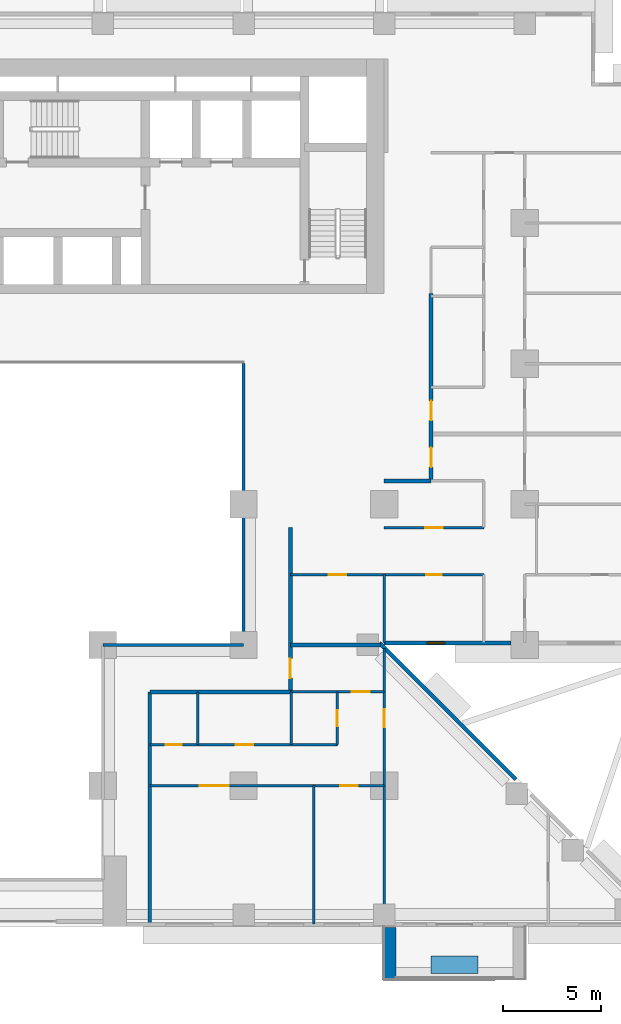
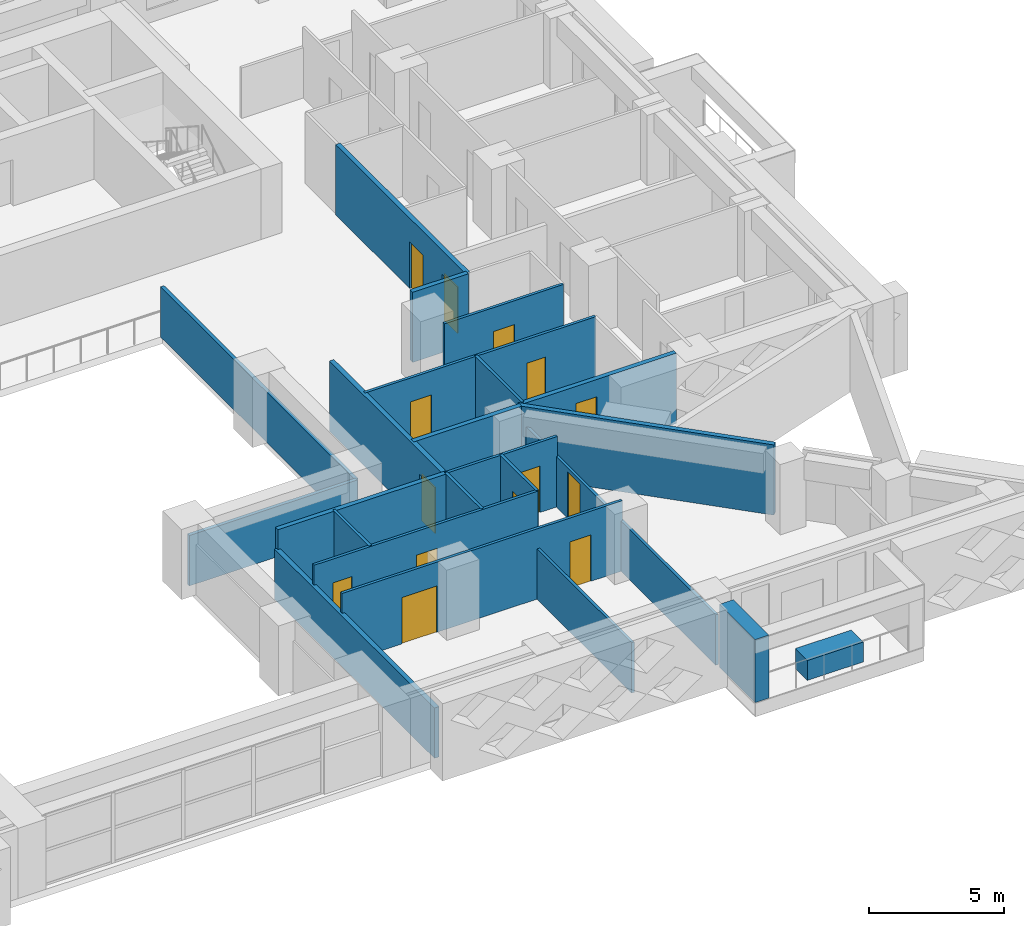
# One storey, part 8 of 17: 23 walls, 13 doors, 1 window, 14 openings.
"""IFC4 building model written with IfcOpenShell, lengths in metres."""

import ifcopenshell
import ifcopenshell.guid

model = None  # the IFC model being written
_history = None  # IfcOwnerHistory: only IFC2X3 demands one
_inside = {}  # id of a spatial element -> (the spatial element, [elements in it])
_under = {}  # id of a project, library or spatial element -> (it, [spatial elements below it])
_declared = {}  # id of a project -> (the project, [libraries it declares])
_typed = {}  # id of a type object -> (the type object, [elements of that type])
_made_of = {}  # id of a material, layer set ... -> (it, [elements and type objects made of it])


def new_model(schema):
    """Start an empty IFC model of exactly this schema.

    Asked for "IFC4X3", IfcOpenShell would pick the latest addendum, in which some entities
    have other attributes; the version numbers below select the first issue.
    IFC2X3 requires an IfcOwnerHistory on every rooted entity: one is made here for all.
    """
    global model, _history
    if schema == "IFC4X3":
        model = ifcopenshell.file(schema_version=(4, 3, 0, 0))
    else:
        model = ifcopenshell.file(schema=schema)
    _inside.clear()
    _under.clear()
    _declared.clear()
    _typed.clear()
    _made_of.clear()
    _history = None
    if model.schema == "IFC2X3":
        org = make("IfcOrganization", Name="unknown")
        user = make(
            "IfcPersonAndOrganization",
            ThePerson=make("IfcPerson", FamilyName="unknown"),
            TheOrganization=org,
        )
        app = make(
            "IfcApplication",
            ApplicationDeveloper=org,
            Version="unknown",
            ApplicationFullName="unknown",
            ApplicationIdentifier="unknown",
        )
        _history = make(
            "IfcOwnerHistory",
            OwningUser=user,
            OwningApplication=app,
            ChangeAction="ADDED",
            CreationDate=0,
        )
    return model


def make(cls, **values):
    """One entity of the class cls with the attributes given. An attribute that is None is left unset."""
    return model.create_entity(
        cls, **{name: value for name, value in values.items() if value is not None}
    )


def rooted(cls, **values):
    """An entity with a GlobalId (a new one), such as an element, a storey or a relation."""
    return make(cls, GlobalId=ifcopenshell.guid.new(), OwnerHistory=_history, **values)


def si_unit(unit_type, name, prefix=None):
    """IfcSIUnit, for example si_unit("LENGTHUNIT", "METRE", prefix="MILLI")."""
    return make("IfcSIUnit", UnitType=unit_type, Prefix=prefix, Name=name)


def assignment(units):
    """IfcUnitAssignment: the units of a project."""
    return None if units is None else make("IfcUnitAssignment", Units=units)


def point(xyz):
    """IfcCartesianPoint."""
    return None if xyz is None else make("IfcCartesianPoint", Coordinates=xyz)


def direction(xyz):
    """IfcDirection."""
    return None if xyz is None else make("IfcDirection", DirectionRatios=xyz)


def frame(location, z_axis=None, x_axis=None):
    """IfcAxis2Placement3D, a coordinate frame: its origin and axes. An axis left out is left unset."""
    return make(
        "IfcAxis2Placement3D",
        Location=point(location),
        Axis=direction(z_axis),
        RefDirection=direction(x_axis),
    )


def frame_2d(location, x_axis=None):
    """IfcAxis2Placement2D, a coordinate frame in the plane: its origin and x axis."""
    return make(
        "IfcAxis2Placement2D", Location=point(location), RefDirection=direction(x_axis)
    )


def origin():
    """The frame at (0, 0, 0) with its axes left unset."""
    return frame((0.0, 0.0, 0.0))


def place(relative_to, where):
    """IfcLocalPlacement: puts the frame where relative to a parent placement (None: the world)."""
    return make(
        "IfcLocalPlacement", PlacementRelTo=relative_to, RelativePlacement=where
    )


def context(
    kind, dimensions, precision=None, world=None, true_north=None, identifier=None
):
    """IfcGeometricRepresentationContext, for example the 3D "Model" context."""
    return make(
        "IfcGeometricRepresentationContext",
        ContextIdentifier=identifier,
        ContextType=kind,
        CoordinateSpaceDimension=dimensions,
        Precision=precision,
        WorldCoordinateSystem=world,
        TrueNorth=true_north,
    )


def subcontext(parent, identifier, kind, view, scale=None):
    """IfcGeometricRepresentationSubContext, for example "Body" below "Model"."""
    return make(
        "IfcGeometricRepresentationSubContext",
        ContextIdentifier=identifier,
        ContextType=kind,
        ParentContext=parent,
        TargetScale=scale,
        TargetView=view,
    )


def project(units=None, contexts=None):
    """IfcProject with its units and contexts."""
    return rooted(
        "IfcProject",
        Name="project",
        RepresentationContexts=contexts,
        UnitsInContext=assignment(units),
    )


def spatial(cls, under=None, at=None, **own):
    """A site, building, storey or space (cls), placed at a placement, below another one or the project."""
    s = rooted(cls, ObjectPlacement=at, **own)
    if under is not None:
        _under.setdefault(under.id(), (under, []))[1].append(s)
    return s


def profile(cls, at=None, kind="AREA", **sizes):
    """A parametric profile (cls). Its sizes go by their IFC names, for example OverallWidth=200.0."""
    return make(cls, ProfileType=kind, Position=at, **sizes)


def rectangle(**sizes):
    """IfcRectangleProfileDef."""
    return profile("IfcRectangleProfileDef", **sizes)


def extrude(swept, where, along, depth):
    """IfcExtrudedAreaSolid: the profile swept, set in the frame where, extruded along a direction by depth."""
    return make(
        "IfcExtrudedAreaSolid",
        SweptArea=swept,
        Position=where,
        ExtrudedDirection=direction(along),
        Depth=depth,
    )


def shape(context_of_items, identifier, shape_type, items):
    """IfcShapeRepresentation: the items that make up one representation, for example the "Body"."""
    return make(
        "IfcShapeRepresentation",
        ContextOfItems=context_of_items,
        RepresentationIdentifier=identifier,
        RepresentationType=shape_type,
        Items=items,
    )


def material(Name=None, Category=None):
    """IfcMaterial."""
    return make("IfcMaterial", Name=Name, Category=Category)


def layer(
    of_material, thickness, ventilated=None, Name=None, Category=None, Priority=None
):
    """IfcMaterialLayer: one layer of a wall or slab, of a material (None: an air gap)."""
    return make(
        "IfcMaterialLayer",
        Material=of_material,
        LayerThickness=thickness,
        IsVentilated=ventilated,
        Name=Name,
        Category=Category,
        Priority=Priority,
    )


def layer_set(layers, Name=None):
    """IfcMaterialLayerSet."""
    return make("IfcMaterialLayerSet", MaterialLayers=layers, LayerSetName=Name)


def made_of(thing, what):
    """Note that an element or type object is made of a material, layer set ...; save() writes the relation."""
    if what is not None:
        _made_of.setdefault(what.id(), (what, []))[1].append(thing)
    return thing


def type_object(cls, material=None, **own):
    """A type object (cls), such as IfcWallType, which elements share."""
    return made_of(rooted(cls, **own), material)


def element(
    cls,
    number,
    at=None,
    inside=None,
    cuts=None,
    type_object=None,
    material=None,
    context=None,
    identifier="Body",
    shape_type=None,
    held_by="IfcProductDefinitionShape",
    body=None,
    shapes=None,
    **own,
):
    """One element of the class cls, such as IfcWall. Its Tag is "e" and its number.

    at: its placement. inside: the storey or other place that contains it. cuts: it is an
    opening in that element (IfcRelVoidsElement). A single representation is given by context,
    identifier, shape_type and body (its items); several are given by shapes. held_by: the class
    of the entity that holds the representations. save() writes the other relations.
    """
    e = rooted(cls, Tag="e%d" % number, ObjectPlacement=at, **own)
    if body is not None:
        shapes = [shape(context, identifier, shape_type, body)]
    if shapes is not None:
        e.Representation = make(held_by, Representations=shapes)
    if inside is not None:
        _inside.setdefault(inside.id(), (inside, []))[1].append(e)
    if cuts is not None:
        rooted(
            "IfcRelVoidsElement", RelatingBuildingElement=cuts, RelatedOpeningElement=e
        )
    if type_object is not None:
        _typed.setdefault(type_object.id(), (type_object, []))[1].append(e)
    return made_of(e, material)


def fill(opening, filler):
    """IfcRelFillsElement: the door or window that sits in an opening."""
    return rooted(
        "IfcRelFillsElement",
        RelatingOpeningElement=opening,
        RelatedBuildingElement=filler,
    )


def aggregate(whole, parts):
    """IfcRelAggregates: a whole, such as a stair, and the parts it consists of."""
    return rooted("IfcRelAggregates", RelatingObject=whole, RelatedObjects=parts)


def save(model, path):
    """Write the relations noted so far, then the file.

    IfcRelAggregates (storeys below a building ...), IfcRelContainedInSpatialStructure (elements
    in a storey), IfcRelDefinesByType, IfcRelAssociatesMaterial and IfcRelDeclares: one each for
    every whole, place, type object, material and project.
    """
    for whole, parts in _under.values():
        aggregate(whole, parts)
    for where, things in _inside.values():
        rooted(
            "IfcRelContainedInSpatialStructure",
            RelatedElements=things,
            RelatingStructure=where,
        )
    for kind, things in _typed.values():
        rooted("IfcRelDefinesByType", RelatedObjects=things, RelatingType=kind)
    for what, things in _made_of.values():
        rooted("IfcRelAssociatesMaterial", RelatedObjects=things, RelatingMaterial=what)
    for by, libraries in _declared.values():
        rooted("IfcRelDeclares", RelatingContext=by, RelatedDefinitions=libraries)
    model.write(path)


model = new_model("IFC4")

# Units and contexts
model_context = context("Model", 3, precision=1e-05, world=origin(), true_north=direction((0.0, 1.0)))
body_context = subcontext(model_context, "Body", "Model", "MODEL_VIEW")
ifc_project = project(units=[si_unit("LENGTHUNIT", "METRE"), si_unit("AREAUNIT", "SQUARE_METRE"), si_unit("VOLUMEUNIT", "CUBIC_METRE"), si_unit("PLANEANGLEUNIT", "RADIAN"), si_unit("MASSUNIT", "GRAM", prefix="KILO")], contexts=[model_context])

# Site, building, storey
site_placement = place(None, origin())
site = spatial("IfcSite", under=ifc_project, at=site_placement, CompositionType="ELEMENT")
building_placement = place(site_placement, origin())
building = spatial("IfcBuilding", under=site, at=building_placement, Name="Saffron Iwan Residences", CompositionType="ELEMENT")
storey_placement = place(building_placement, frame((0.0, 0.0, 34.0)))
storey = spatial("IfcBuildingStorey", under=building, at=storey_placement, Name="L07", CompositionType="ELEMENT", Elevation=34.0)

# Walls
ifc_material_1 = material(Name="Fire-rated glazing", Category="glass")
ifc_layer_1 = layer(ifc_material_1, 0.14990234375)
ifc_layer_set_1 = layer_set([ifc_layer_1], Name="Fire-rated glazing")
wall_type_1 = type_object("IfcWallType", Name="Atrium glazed screen 150", PredefinedType="SOLIDWALL", material=ifc_layer_set_1)
wall_1_placement = place(storey_placement, frame((57.60009765625, 48.0, 0.0), z_axis=(0.0, 0.0, 1.0), x_axis=(1.0, 0.0, 0.0)))
element("IfcWall", 1, at=wall_1_placement, inside=storey, type_object=wall_type_1, Name="W-L07-SCREEN-h48-57.6", PredefinedType="SOLIDWALL", context=body_context, shape_type="SweptSolid", body=[
    extrude(rectangle(XDim=7.199951171875, YDim=0.14990234375, at=frame_2d((3.60009765625, 0.0))), origin(), (0.0, 0.0, 1.0), 2.280029296875),
])
wall_2_placement = place(storey_placement, frame((64.800048828125, 48.0, 0.0), z_axis=(0.0, 0.0, 1.0), x_axis=(0.0, 1.0, 0.0)))
element("IfcWall", 2, at=wall_2_placement, inside=storey, type_object=wall_type_1, Name="W-L07-SCREEN-v64.8-48", PredefinedType="SOLIDWALL", context=body_context, shape_type="SweptSolid", body=[
    extrude(rectangle(XDim=14.39990234375, YDim=0.14990234375, at=frame_2d((7.199951171875, 0.0))), origin(), (0.0, 0.0, 1.0), 2.280029296875),
])
ifc_material_2 = material(Name="Concrete C50/60 white painted", Category="concrete")
ifc_layer_2 = layer(ifc_material_2, 0.60009765625)
ifc_layer_set_2 = layer_set([ifc_layer_2], Name="Concrete C50/60 white painted")
wall_type_2 = type_object("IfcWallType", Name="BALCONY FIN 600", PredefinedType="SOLIDWALL", material=ifc_layer_set_2)
wall_3_placement = place(storey_placement, frame((72.300048828125, 33.550048828125, 0.0), z_axis=(0.0, 0.0, 1.0), x_axis=(0.0, -1.0, 0.0)))
element("IfcWall", 3, at=wall_3_placement, inside=storey, type_object=wall_type_2, Name="Balcony fin L07 11-1a", PredefinedType="SOLIDWALL", context=body_context, shape_type="SweptSolid", body=[
    extrude(rectangle(XDim=2.650146484375, YDim=0.60009765625, at=frame_2d((1.3251953125, 0.0))), origin(), (0.0, 0.0, 1.0), 2.85009765625),
])
ifc_material_3 = material(Name="Concrete C35/45 white painted", Category="concrete")
ifc_layer_3 = layer(ifc_material_3, 0.14990234375)
ifc_layer_set_3 = layer_set([ifc_layer_3], Name="Concrete C35/45 white painted")
wall_type_3 = type_object("IfcWallType", Name="BALCONY PLANTER", PredefinedType="SOLIDWALL", material=ifc_layer_set_3)
wall_4_placement = place(storey_placement, frame((74.39990234375, 31.625, 0.0), z_axis=(0.0, 0.0, 1.0), x_axis=(1.0, 0.0, 0.0)))
element("IfcWall", 4, at=wall_4_placement, inside=storey, type_object=wall_type_3, Name="PLANTER L07 11-1", PredefinedType="SOLIDWALL", context=body_context, shape_type="SweptSolid", body=[
    extrude(rectangle(XDim=2.400146484375, YDim=0.89990234375, at=frame_2d((1.2001953125, 0.0))), origin(), (0.0, 0.0, 1.0), 0.89990234375),
])
ifc_material_4 = material(Name="Concrete C40/50", Category="concrete")
ifc_layer_4 = layer(ifc_material_4, 0.199951171875)
ifc_layer_set_4 = layer_set([ifc_layer_4], Name="Concrete C40/50")
wall_type_4 = type_object("IfcWallType", Name="EXTERNAL WALL 200", PredefinedType="SOLIDWALL", material=ifc_layer_set_4)
wall_5_placement = place(storey_placement, frame((78.740478515625, 41.1181640625, 0.0), z_axis=(0.0, 0.0, 1.0), x_axis=(-0.707106781187, 0.707106781187, 0.0)))
element("IfcWall", 5, at=wall_5_placement, inside=storey, type_object=wall_type_4, Name="External wall L07 F0.2", PredefinedType="SOLIDWALL", context=body_context, shape_type="SweptSolid", body=[
    extrude(rectangle(XDim=9.8740234375, YDim=0.199951171875, at=frame_2d((4.93701171875, 0.0))), origin(), (0.0, 0.0, 1.0), 3.179931640625),
])

# Wall, opening, window
wall_6_placement = place(storey_placement, frame((71.988525390625, 48.10009765625, 0.0), z_axis=(0.0, 0.0, 1.0), x_axis=(1.0, 0.0, 0.0)))
wall_6 = element("IfcWall", 6, at=wall_6_placement, inside=storey, type_object=wall_type_4, Name="External wall L07 F1.0", PredefinedType="SOLIDWALL", context=body_context, shape_type="SweptSolid", body=[
    extrude(rectangle(XDim=6.511474609375, YDim=0.199951171875, at=frame_2d((3.255859375, 0.0))), origin(), (0.0, 0.0, 1.0), 3.179931640625),
])
opening_1_placement = place(wall_6_placement, frame((2.205810546875, 0.0, 1.5)))
opening_1 = element("IfcOpeningElement", 7, at=opening_1_placement, cuts=wall_6, Name="Opening W6", PredefinedType="OPENING", context=body_context, shape_type="SweptSolid", body=[
    extrude(rectangle(XDim=0.89990234375, YDim=0.89990234375, at=frame_2d((0.449951171875, 0.449951171875))), frame((0.0, 0.10986328125, 0.0), z_axis=(0.0, -1.0, 0.0), x_axis=(1.0, 0.0, 0.0)), (0.0, 0.0, 1.0), 0.219970703125),
])
ifc_material_5 = material(Name="Clear glass, laminated double glazed", Category="glass")
window_type = type_object("IfcWindowType", Name="WINDOW 900 x 900 BATH", PartitioningType="SINGLE_PANEL", PredefinedType="WINDOW", material=ifc_material_5)
window_placement = place(opening_1_placement, origin())
window = element("IfcWindow", 8, at=window_placement, inside=storey, type_object=window_type, Name="Window L07 F1.0", OverallHeight=0.89990234375, OverallWidth=0.89990234375, PartitioningType="SINGLE_PANEL", PredefinedType="WINDOW", context=body_context, shape_type="SweptSolid", body=[
    extrude(rectangle(XDim=0.89990234375, YDim=0.89990234375, at=frame_2d((0.449951171875, 0.449951171875))), frame((0.0, 0.030029296875, 0.0), z_axis=(0.0, -1.0, 0.0), x_axis=(1.0, 0.0, 0.0)), (0.0, 0.0, 1.0), 0.06005859375),
])
fill(opening_1, window)

# Wall
ifc_material_6 = material(Name="Fire-rated gypsum board wall")
ifc_layer_5 = layer(ifc_material_6, 0.199951171875)
ifc_layer_set_5 = layer_set([ifc_layer_5], Name="Fire-rated gypsum board wall")
wall_type_5 = type_object("IfcWallType", Name="Flat demising wall 200", PredefinedType="SOLIDWALL", material=ifc_layer_set_5)
wall_7_placement = place(storey_placement, frame((67.199951171875, 48.0, 0.0), z_axis=(0.0, 0.0, 1.0), x_axis=(1.0, 0.0, 0.0)))
element("IfcWall", 9, at=wall_7_placement, inside=storey, type_object=wall_type_5, Name="W-L07-DEMISE-h48-67.2", PredefinedType="SOLIDWALL", context=body_context, shape_type="SweptSolid", body=[
    extrude(rectangle(XDim=4.623046875, YDim=0.199951171875, at=frame_2d((2.3115234375, 0.0))), origin(), (0.0, 0.0, 1.0), 3.179931640625),
])

# Wall, openings, doors
ifc_material_7 = material(Name="Gypsum board partition")
ifc_layer_6 = layer(ifc_material_7, 0.1201171875)
ifc_layer_set_6 = layer_set([ifc_layer_6], Name="Gypsum board partition")
wall_type_6 = type_object("IfcWallType", Name="Flat partition 120", PredefinedType="PARTITIONING", material=ifc_layer_set_6)
wall_8_placement = place(storey_placement, frame((60.0, 40.800048828125, 0.0), z_axis=(0.0, 0.0, 1.0), x_axis=(1.0, 0.0, 0.0)))
wall_8 = element("IfcWall", 10, at=wall_8_placement, inside=storey, type_object=wall_type_6, Name="W-L07-PART-h40.8-60", PredefinedType="PARTITIONING", context=body_context, shape_type="SweptSolid", body=[
    extrude(rectangle(XDim=12.0, YDim=0.1201171875, at=frame_2d((6.0, 0.0))), origin(), (0.0, 0.0, 1.0), 3.179931640625),
])
opening_2_placement = place(wall_8_placement, frame((9.75, 0.0, 0.0)))
opening_2 = element("IfcOpeningElement", 11, at=opening_2_placement, cuts=wall_8, Name="Opening FD2", PredefinedType="OPENING", context=body_context, shape_type="SweptSolid", body=[
    extrude(rectangle(XDim=0.89990234375, YDim=2.10009765625, at=frame_2d((0.449951171875, 1.050048828125))), frame((0.0, 0.070068359375, 0.0), z_axis=(0.0, -1.0, 0.0), x_axis=(1.0, 0.0, 0.0)), (0.0, 0.0, 1.0), 0.14013671875),
])
opening_3_placement = place(wall_8_placement, frame((2.550048828125, 0.0, 0.0)))
opening_3 = element("IfcOpeningElement", 12, at=opening_3_placement, cuts=wall_8, Name="Opening FD4", PredefinedType="OPENING", context=body_context, shape_type="SweptSolid", body=[
    extrude(rectangle(XDim=1.5, YDim=2.10009765625, at=frame_2d((0.75, 1.050048828125))), frame((0.0, 0.070068359375, 0.0), z_axis=(0.0, -1.0, 0.0), x_axis=(1.0, 0.0, 0.0)), (0.0, 0.0, 1.0), 0.14013671875),
])
ifc_material_8 = material(Name="Timber door", Category="wood")
door_type_1 = type_object("IfcDoorType", Name="Double door 1500", OperationType="NOTDEFINED", PredefinedType="DOOR", material=ifc_material_8)
door_1_placement = place(opening_3_placement, origin())
door_1 = element("IfcDoor", 13, at=door_1_placement, inside=storey, type_object=door_type_1, Name="Door L07-047", OperationType="SINGLE_SWING_RIGHT", OverallHeight=2.10009765625, OverallWidth=1.5, PredefinedType="DOOR", context=body_context, shape_type="SweptSolid", body=[
    extrude(rectangle(XDim=1.5, YDim=2.10009765625, at=frame_2d((0.75, 1.050048828125))), frame((0.0, 0.02490234375, 0.0), z_axis=(0.0, -1.0, 0.0), x_axis=(1.0, 0.0, 0.0)), (0.0, 0.0, 1.0), 0.050048828125),
])
fill(opening_3, door_1)
door_type_2 = type_object("IfcDoorType", Name="Flat door 900", OperationType="NOTDEFINED", PredefinedType="DOOR", material=ifc_material_8)
door_2_placement = place(opening_2_placement, origin())
door_2 = element("IfcDoor", 14, at=door_2_placement, inside=storey, type_object=door_type_2, Name="Door L07-046", OperationType="SINGLE_SWING_LEFT", OverallHeight=2.10009765625, OverallWidth=0.89990234375, PredefinedType="DOOR", context=body_context, shape_type="SweptSolid", body=[
    extrude(rectangle(XDim=0.89990234375, YDim=2.10009765625, at=frame_2d((0.449951171875, 1.050048828125))), frame((0.0, 0.02490234375, 0.0), z_axis=(0.0, -1.0, 0.0), x_axis=(1.0, 0.0, 0.0)), (0.0, 0.0, 1.0), 0.050048828125),
])
fill(opening_2, door_2)

wall_9_placement = place(storey_placement, frame((60.0, 42.89990234375, 0.0), z_axis=(0.0, 0.0, 1.0), x_axis=(1.0, 0.0, 0.0)))
wall_9 = element("IfcWall", 15, at=wall_9_placement, inside=storey, type_object=wall_type_6, Name="W-L07-PART-h42.9-60", PredefinedType="PARTITIONING", context=body_context, shape_type="SweptSolid", body=[
    extrude(rectangle(XDim=9.60009765625, YDim=0.1201171875, at=frame_2d((4.800048828125, 0.0))), origin(), (0.0, 0.0, 1.0), 3.179931640625),
])
opening_4_placement = place(wall_9_placement, frame((4.39990234375, 0.0, 0.0)))
opening_4 = element("IfcOpeningElement", 16, at=opening_4_placement, cuts=wall_9, Name="Opening FD2", PredefinedType="OPENING", context=body_context, shape_type="SweptSolid", body=[
    extrude(rectangle(XDim=0.89990234375, YDim=2.10009765625, at=frame_2d((0.449951171875, 1.050048828125))), frame((0.0, 0.070068359375, 0.0), z_axis=(0.0, -1.0, 0.0), x_axis=(1.0, 0.0, 0.0)), (0.0, 0.0, 1.0), 0.14013671875),
])
opening_5_placement = place(wall_9_placement, frame((0.824951171875, 0.0, 0.0)))
opening_5 = element("IfcOpeningElement", 17, at=opening_5_placement, cuts=wall_9, Name="Opening FD3", PredefinedType="OPENING", context=body_context, shape_type="SweptSolid", body=[
    extrude(rectangle(XDim=0.800048828125, YDim=2.10009765625, at=frame_2d((0.39990234375, 1.050048828125))), frame((0.0, 0.070068359375, 0.0), z_axis=(0.0, -1.0, 0.0), x_axis=(1.0, 0.0, 0.0)), (0.0, 0.0, 1.0), 0.14013671875),
])
door_type_3 = type_object("IfcDoorType", Name="Bathroom door 800", OperationType="NOTDEFINED", PredefinedType="DOOR", material=ifc_material_8)
door_3_placement = place(opening_5_placement, origin())
door_3 = element("IfcDoor", 18, at=door_3_placement, inside=storey, type_object=door_type_3, Name="Door L07-050", OperationType="SINGLE_SWING_LEFT", OverallHeight=2.10009765625, OverallWidth=0.800048828125, PredefinedType="DOOR", context=body_context, shape_type="SweptSolid", body=[
    extrude(rectangle(XDim=0.800048828125, YDim=2.10009765625, at=frame_2d((0.39990234375, 1.050048828125))), frame((0.0, 0.02490234375, 0.0), z_axis=(0.0, -1.0, 0.0), x_axis=(1.0, 0.0, 0.0)), (0.0, 0.0, 1.0), 0.050048828125),
])
fill(opening_5, door_3)
door_4_placement = place(opening_4_placement, origin())
door_4 = element("IfcDoor", 19, at=door_4_placement, inside=storey, type_object=door_type_2, Name="Door L07-049", OperationType="SINGLE_SWING_LEFT", OverallHeight=2.10009765625, OverallWidth=0.89990234375, PredefinedType="DOOR", context=body_context, shape_type="SweptSolid", body=[
    extrude(rectangle(XDim=0.89990234375, YDim=2.10009765625, at=frame_2d((0.449951171875, 1.050048828125))), frame((0.0, 0.02490234375, 0.0), z_axis=(0.0, -1.0, 0.0), x_axis=(1.0, 0.0, 0.0)), (0.0, 0.0, 1.0), 0.050048828125),
])
fill(opening_4, door_4)

# Wall, opening, door
wall_10_placement = place(storey_placement, frame((67.199951171875, 45.60009765625, 0.0), z_axis=(0.0, 0.0, 1.0), x_axis=(1.0, 0.0, 0.0)))
wall_10 = element("IfcWall", 20, at=wall_10_placement, inside=storey, type_object=wall_type_6, Name="W-L07-PART-h45.6-67.2", PredefinedType="PARTITIONING", context=body_context, shape_type="SweptSolid", body=[
    extrude(rectangle(XDim=4.800048828125, YDim=0.1201171875, at=frame_2d((2.39990234375, 0.0))), origin(), (0.0, 0.0, 1.0), 3.179931640625),
])
opening_6_placement = place(wall_10_placement, frame((3.14990234375, 0.0, 0.0)))
opening_6 = element("IfcOpeningElement", 21, at=opening_6_placement, cuts=wall_10, Name="Opening FD2", PredefinedType="OPENING", context=body_context, shape_type="SweptSolid", body=[
    extrude(rectangle(XDim=0.89990234375, YDim=2.10009765625, at=frame_2d((0.449951171875, 1.050048828125))), frame((0.0, 0.070068359375, 0.0), z_axis=(0.0, -1.0, 0.0), x_axis=(1.0, 0.0, 0.0)), (0.0, 0.0, 1.0), 0.14013671875),
])
door_5_placement = place(opening_6_placement, origin())
door_5 = element("IfcDoor", 22, at=door_5_placement, inside=storey, type_object=door_type_2, Name="Door L07-044", OperationType="SINGLE_SWING_LEFT", OverallHeight=2.10009765625, OverallWidth=0.89990234375, PredefinedType="DOOR", context=body_context, shape_type="SweptSolid", body=[
    extrude(rectangle(XDim=0.89990234375, YDim=2.10009765625, at=frame_2d((0.449951171875, 1.050048828125))), frame((0.0, 0.02490234375, 0.0), z_axis=(0.0, -1.0, 0.0), x_axis=(1.0, 0.0, 0.0)), (0.0, 0.0, 1.0), 0.050048828125),
])
fill(opening_6, door_5)

# Wall, openings, doors
wall_11_placement = place(storey_placement, frame((67.199951171875, 51.60009765625, 0.0), z_axis=(0.0, 0.0, 1.0), x_axis=(1.0, 0.0, 0.0)))
wall_11 = element("IfcWall", 23, at=wall_11_placement, inside=storey, type_object=wall_type_6, Name="W-L07-PART-h51.6-67.2", PredefinedType="PARTITIONING", context=body_context, shape_type="SweptSolid", body=[
    extrude(rectangle(XDim=9.900146484375, YDim=0.1201171875, at=frame_2d((4.9501953125, 0.0))), origin(), (0.0, 0.0, 1.0), 3.179931640625),
])
opening_7_placement = place(wall_11_placement, frame((6.949951171875, 0.0, 0.0)))
opening_7 = element("IfcOpeningElement", 24, at=opening_7_placement, cuts=wall_11, Name="Opening FD3", PredefinedType="OPENING", context=body_context, shape_type="SweptSolid", body=[
    extrude(rectangle(XDim=0.800048828125, YDim=2.10009765625, at=frame_2d((0.39990234375, 1.050048828125))), frame((0.0, 0.070068359375, 0.0), z_axis=(0.0, -1.0, 0.0), x_axis=(1.0, 0.0, 0.0)), (0.0, 0.0, 1.0), 0.14013671875),
])
opening_8_placement = place(wall_11_placement, frame((1.949951171875, 0.0, 0.0)))
opening_8 = element("IfcOpeningElement", 25, at=opening_8_placement, cuts=wall_11, Name="Opening FD2", PredefinedType="OPENING", context=body_context, shape_type="SweptSolid", body=[
    extrude(rectangle(XDim=0.89990234375, YDim=2.10009765625, at=frame_2d((0.449951171875, 1.050048828125))), frame((0.0, 0.070068359375, 0.0), z_axis=(0.0, -1.0, 0.0), x_axis=(1.0, 0.0, 0.0)), (0.0, 0.0, 1.0), 0.14013671875),
])
door_6_placement = place(opening_7_placement, origin())
door_6 = element("IfcDoor", 26, at=door_6_placement, inside=storey, type_object=door_type_3, Name="Door L07-025", OperationType="SINGLE_SWING_LEFT", OverallHeight=2.10009765625, OverallWidth=0.800048828125, PredefinedType="DOOR", context=body_context, shape_type="SweptSolid", body=[
    extrude(rectangle(XDim=0.800048828125, YDim=2.10009765625, at=frame_2d((0.39990234375, 1.050048828125))), frame((0.0, 0.02490234375, 0.0), z_axis=(0.0, -1.0, 0.0), x_axis=(1.0, 0.0, 0.0)), (0.0, 0.0, 1.0), 0.050048828125),
])
fill(opening_7, door_6)
door_7_placement = place(opening_8_placement, origin())
door_7 = element("IfcDoor", 27, at=door_7_placement, inside=storey, type_object=door_type_2, Name="Door L07-027", OperationType="SINGLE_SWING_RIGHT", OverallHeight=2.10009765625, OverallWidth=0.89990234375, PredefinedType="DOOR", context=body_context, shape_type="SweptSolid", body=[
    extrude(rectangle(XDim=0.89990234375, YDim=2.10009765625, at=frame_2d((0.449951171875, 1.050048828125))), frame((0.0, 0.02490234375, 0.0), z_axis=(0.0, -1.0, 0.0), x_axis=(1.0, 0.0, 0.0)), (0.0, 0.0, 1.0), 0.050048828125),
])
fill(opening_8, door_7)

# Wall, opening, door
wall_12_placement = place(storey_placement, frame((72.0, 54.0, 0.0), z_axis=(0.0, 0.0, 1.0), x_axis=(1.0, 0.0, 0.0)))
wall_12 = element("IfcWall", 28, at=wall_12_placement, inside=storey, type_object=wall_type_6, Name="W-L07-PART-h54-72", PredefinedType="PARTITIONING", context=body_context, shape_type="SweptSolid", body=[
    extrude(rectangle(XDim=5.10009765625, YDim=0.1201171875, at=frame_2d((2.550048828125, 0.0))), origin(), (0.0, 0.0, 1.0), 3.179931640625),
])
opening_9_placement = place(wall_12_placement, frame((2.10009765625, 0.0, 0.0)))
opening_9 = element("IfcOpeningElement", 29, at=opening_9_placement, cuts=wall_12, Name="Opening FD2", PredefinedType="OPENING", context=body_context, shape_type="SweptSolid", body=[
    extrude(rectangle(XDim=0.89990234375, YDim=2.10009765625, at=frame_2d((0.449951171875, 1.050048828125))), frame((0.0, 0.070068359375, 0.0), z_axis=(0.0, -1.0, 0.0), x_axis=(1.0, 0.0, 0.0)), (0.0, 0.0, 1.0), 0.14013671875),
])
door_8_placement = place(opening_9_placement, origin())
door_8 = element("IfcDoor", 30, at=door_8_placement, inside=storey, type_object=door_type_2, Name="Door L07-026", OperationType="SINGLE_SWING_LEFT", OverallHeight=2.10009765625, OverallWidth=0.89990234375, PredefinedType="DOOR", context=body_context, shape_type="SweptSolid", body=[
    extrude(rectangle(XDim=0.89990234375, YDim=2.10009765625, at=frame_2d((0.449951171875, 1.050048828125))), frame((0.0, 0.02490234375, 0.0), z_axis=(0.0, -1.0, 0.0), x_axis=(1.0, 0.0, 0.0)), (0.0, 0.0, 1.0), 0.050048828125),
])
fill(opening_9, door_8)

# Walls
for number, where, z_axis, x_axis, name in (
    (31, (62.449951171875, 42.89990234375, 0.0), (0.0, 0.0, 1.0), (0.0, 1.0, 0.0), "W-L07-PART-v62.45-42.9"),
    (32, (67.25, 42.89990234375, 0.0), (0.0, 0.0, 1.0), (0.0, 1.0, 0.0), "W-L07-PART-v67.25-42.9"),
):
    element("IfcWall", number, at=place(storey_placement, frame(where, z_axis=z_axis, x_axis=x_axis)), inside=storey, type_object=wall_type_6, Name=name, PredefinedType="PARTITIONING", context=body_context, shape_type="SweptSolid", body=[
        extrude(rectangle(XDim=2.7001953125, YDim=0.1201171875, at=frame_2d((1.35009765625, 0.0))), origin(), (0.0, 0.0, 1.0), 3.179931640625),
    ])
wall_13_placement = place(storey_placement, frame((68.39990234375, 33.72509765625, 0.0), z_axis=(0.0, 0.0, 1.0), x_axis=(0.0, 1.0, 0.0)))
element("IfcWall", 33, at=wall_13_placement, inside=storey, type_object=wall_type_6, Name="W-L07-PART-v68.4-33.725", PredefinedType="PARTITIONING", context=body_context, shape_type="SweptSolid", body=[
    extrude(rectangle(XDim=7.074951171875, YDim=0.1201171875, at=frame_2d((3.53759765625, 0.0))), origin(), (0.0, 0.0, 1.0), 2.280029296875),
])

# Wall, opening, door
wall_14_placement = place(storey_placement, frame((69.60009765625, 42.89990234375, 0.0), z_axis=(0.0, 0.0, 1.0), x_axis=(0.0, 1.0, 0.0)))
wall_14 = element("IfcWall", 34, at=wall_14_placement, inside=storey, type_object=wall_type_6, Name="W-L07-PART-v69.6-42.9", PredefinedType="PARTITIONING", context=body_context, shape_type="SweptSolid", body=[
    extrude(rectangle(XDim=2.7001953125, YDim=0.1201171875, at=frame_2d((1.35009765625, 0.0))), origin(), (0.0, 0.0, 1.0), 3.179931640625),
])
opening_10_placement = place(wall_14_placement, frame((0.949951171875, 0.0, 0.0)))
opening_10 = element("IfcOpeningElement", 35, at=opening_10_placement, cuts=wall_14, Name="Opening FD3", PredefinedType="OPENING", context=body_context, shape_type="SweptSolid", body=[
    extrude(rectangle(XDim=0.800048828125, YDim=2.10009765625, at=frame_2d((0.39990234375, 1.050048828125))), frame((0.0, 0.070068359375, 0.0), z_axis=(0.0, -1.0, 0.0), x_axis=(1.0, 0.0, 0.0)), (0.0, 0.0, 1.0), 0.14013671875),
])
door_9_placement = place(opening_10_placement, origin())
door_9 = element("IfcDoor", 36, at=door_9_placement, inside=storey, type_object=door_type_3, Name="Door L07-048", OperationType="SINGLE_SWING_RIGHT", OverallHeight=2.10009765625, OverallWidth=0.800048828125, PredefinedType="DOOR", context=body_context, shape_type="SweptSolid", body=[
    extrude(rectangle(XDim=0.800048828125, YDim=2.10009765625, at=frame_2d((0.39990234375, 1.050048828125))), frame((0.0, 0.02490234375, 0.0), z_axis=(0.0, -1.0, 0.0), x_axis=(1.0, 0.0, 0.0)), (0.0, 0.0, 1.0), 0.050048828125),
])
fill(opening_10, door_9)

wall_15_placement = place(storey_placement, frame((72.0, 33.72509765625, 0.0), z_axis=(0.0, 0.0, 1.0), x_axis=(0.0, 1.0, 0.0)))
wall_15 = element("IfcWall", 37, at=wall_15_placement, inside=storey, type_object=wall_type_6, Name="W-L07-PART-v72-33.725", PredefinedType="PARTITIONING", context=body_context, shape_type="SweptSolid", body=[
    extrude(rectangle(XDim=14.097900390625, YDim=0.1201171875, at=frame_2d((7.048828125, 0.0))), origin(), (0.0, 0.0, 1.0), 2.280029296875),
])
opening_11_placement = place(wall_15_placement, frame((10.074951171875, 0.0, 0.0)))
opening_11 = element("IfcOpeningElement", 38, at=opening_11_placement, cuts=wall_15, Name="Opening FD2", PredefinedType="OPENING", context=body_context, shape_type="SweptSolid", body=[
    extrude(rectangle(XDim=0.89990234375, YDim=2.10009765625, at=frame_2d((0.449951171875, 1.050048828125))), frame((0.0, 0.070068359375, 0.0), z_axis=(0.0, -1.0, 0.0), x_axis=(1.0, 0.0, 0.0)), (0.0, 0.0, 1.0), 0.14013671875),
])
door_10_placement = place(opening_11_placement, origin())
door_10 = element("IfcDoor", 39, at=door_10_placement, inside=storey, type_object=door_type_2, Name="Door L07-051", OperationType="SINGLE_SWING_RIGHT", OverallHeight=2.10009765625, OverallWidth=0.89990234375, PredefinedType="DOOR", context=body_context, shape_type="SweptSolid", body=[
    extrude(rectangle(XDim=0.89990234375, YDim=2.10009765625, at=frame_2d((0.449951171875, 1.050048828125))), frame((0.0, 0.02490234375, 0.0), z_axis=(0.0, -1.0, 0.0), x_axis=(1.0, 0.0, 0.0)), (0.0, 0.0, 1.0), 0.050048828125),
])
fill(opening_11, door_10)

# Walls
wall_16_placement = place(storey_placement, frame((72.0, 48.125, 0.0), z_axis=(0.0, 0.0, 1.0), x_axis=(0.0, 1.0, 0.0)))
element("IfcWall", 40, at=wall_16_placement, inside=storey, type_object=wall_type_6, Name="W-L07-PART-v72-48.125", PredefinedType="PARTITIONING", context=body_context, shape_type="SweptSolid", body=[
    extrude(rectangle(XDim=3.47509765625, YDim=0.1201171875, at=frame_2d((1.737548828125, 0.0))), origin(), (0.0, 0.0, 1.0), 3.179931640625),
])
ifc_layer_7 = layer(ifc_material_6, 0.199951171875)
ifc_layer_set_7 = layer_set([ifc_layer_7], Name="Fire-rated gypsum board wall")
wall_type_7 = type_object("IfcWallType", Name="Gallery wall 200", PredefinedType="SOLIDWALL", material=ifc_layer_set_7)
wall_17_placement = place(storey_placement, frame((60.0, 45.60009765625, 0.0), z_axis=(0.0, 0.0, 1.0), x_axis=(1.0, 0.0, 0.0)))
element("IfcWall", 41, at=wall_17_placement, inside=storey, type_object=wall_type_7, Name="W-L07-CORR-h45.6-60", PredefinedType="SOLIDWALL", context=body_context, shape_type="SweptSolid", body=[
    extrude(rectangle(XDim=7.25, YDim=0.199951171875, at=frame_2d((3.625, 0.0))), origin(), (0.0, 0.0, 1.0), 3.179931640625),
])
wall_18_placement = place(storey_placement, frame((72.0, 56.39990234375, 0.0), z_axis=(0.0, 0.0, 1.0), x_axis=(1.0, 0.0, 0.0)))
element("IfcWall", 42, at=wall_18_placement, inside=storey, type_object=wall_type_7, Name="W-L07-CORR-h56.4-72", PredefinedType="SOLIDWALL", context=body_context, shape_type="SweptSolid", body=[
    extrude(rectangle(XDim=2.39990234375, YDim=0.199951171875, at=frame_2d((1.199951171875, 0.0))), origin(), (0.0, 0.0, 1.0), 3.179931640625),
])
wall_19_placement = place(storey_placement, frame((60.0, 33.72509765625, 0.0), z_axis=(0.0, 0.0, 1.0), x_axis=(0.0, 1.0, 0.0)))
element("IfcWall", 43, at=wall_19_placement, inside=storey, type_object=wall_type_7, Name="W-L07-CORR-v60-33.725", PredefinedType="SOLIDWALL", context=body_context, shape_type="SweptSolid", body=[
    extrude(rectangle(XDim=11.875, YDim=0.199951171875, at=frame_2d((5.9375, 0.0))), origin(), (0.0, 0.0, 1.0), 2.280029296875),
])

# Wall, opening, door
wall_20_placement = place(storey_placement, frame((67.199951171875, 45.60009765625, 0.0), z_axis=(0.0, 0.0, 1.0), x_axis=(0.0, 1.0, 0.0)))
wall_20 = element("IfcWall", 44, at=wall_20_placement, inside=storey, type_object=wall_type_7, Name="W-L07-CORR-v67.2-45.6", PredefinedType="SOLIDWALL", context=body_context, shape_type="SweptSolid", body=[
    extrude(rectangle(XDim=8.39990234375, YDim=0.199951171875, at=frame_2d((4.199951171875, 0.0))), origin(), (0.0, 0.0, 1.0), 3.179931640625),
])
opening_12_placement = place(wall_20_placement, frame((0.699951171875, 0.0, 0.0)))
opening_12 = element("IfcOpeningElement", 45, at=opening_12_placement, cuts=wall_20, Name="Opening FD5", PredefinedType="OPENING", context=body_context, shape_type="SweptSolid", body=[
    extrude(rectangle(XDim=1.0, YDim=2.10009765625, at=frame_2d((0.5, 1.050048828125))), frame((0.0, 0.10986328125, 0.0), z_axis=(0.0, -1.0, 0.0), x_axis=(1.0, 0.0, 0.0)), (0.0, 0.0, 1.0), 0.219970703125),
])
ifc_material_9 = material(Name="Fire-rated timber door", Category="wood")
door_type_4 = type_object("IfcDoorType", Name="Lobby door 1000", OperationType="NOTDEFINED", PredefinedType="DOOR", material=ifc_material_9)
door_11_placement = place(opening_12_placement, origin())
door_11 = element("IfcDoor", 46, at=door_11_placement, inside=storey, type_object=door_type_4, Name="Door L07-045", OperationType="SINGLE_SWING_RIGHT", OverallHeight=2.10009765625, OverallWidth=1.0, PredefinedType="DOOR", context=body_context, shape_type="SweptSolid", body=[
    extrude(rectangle(XDim=1.0, YDim=2.10009765625, at=frame_2d((0.5, 1.050048828125))), frame((0.0, 0.02490234375, 0.0), z_axis=(0.0, -1.0, 0.0), x_axis=(1.0, 0.0, 0.0)), (0.0, 0.0, 1.0), 0.050048828125),
])
fill(opening_12, door_11)

# Wall, openings, doors
wall_21_placement = place(storey_placement, frame((74.39990234375, 56.39990234375, 0.0), z_axis=(0.0, 0.0, 1.0), x_axis=(0.0, 1.0, 0.0)))
wall_21 = element("IfcWall", 47, at=wall_21_placement, inside=storey, type_object=wall_type_7, Name="W-L07-CORR-v74.4-56.4", PredefinedType="SOLIDWALL", context=body_context, shape_type="SweptSolid", body=[
    extrude(rectangle(XDim=9.60009765625, YDim=0.199951171875, at=frame_2d((4.800048828125, 0.0))), origin(), (0.0, 0.0, 1.0), 3.179931640625),
])
opening_13_placement = place(wall_21_placement, frame((0.699951171875, 0.0, 0.0)))
opening_13 = element("IfcOpeningElement", 48, at=opening_13_placement, cuts=wall_21, Name="Opening FD1", PredefinedType="OPENING", context=body_context, shape_type="SweptSolid", body=[
    extrude(rectangle(XDim=1.0, YDim=2.10009765625, at=frame_2d((0.5, 1.050048828125))), frame((0.0, 0.10986328125, 0.0), z_axis=(0.0, -1.0, 0.0), x_axis=(1.0, 0.0, 0.0)), (0.0, 0.0, 1.0), 0.219970703125),
])
opening_14_placement = place(wall_21_placement, frame((3.10009765625, 0.0, 0.0)))
opening_14 = element("IfcOpeningElement", 49, at=opening_14_placement, cuts=wall_21, Name="Opening FD1", PredefinedType="OPENING", context=body_context, shape_type="SweptSolid", body=[
    extrude(rectangle(XDim=1.0, YDim=2.10009765625, at=frame_2d((0.5, 1.050048828125))), frame((0.0, 0.10986328125, 0.0), z_axis=(0.0, -1.0, 0.0), x_axis=(1.0, 0.0, 0.0)), (0.0, 0.0, 1.0), 0.219970703125),
])
door_type_5 = type_object("IfcDoorType", Name="FD30S flat entrance door 1000", OperationType="NOTDEFINED", PredefinedType="DOOR", material=ifc_material_9)
door_12_placement = place(opening_13_placement, origin())
door_12 = element("IfcDoor", 50, at=door_12_placement, inside=storey, type_object=door_type_5, Name="Door L07-021", OperationType="SINGLE_SWING_RIGHT", OverallHeight=2.10009765625, OverallWidth=1.0, PredefinedType="DOOR", context=body_context, shape_type="SweptSolid", body=[
    extrude(rectangle(XDim=1.0, YDim=2.10009765625, at=frame_2d((0.5, 1.050048828125))), frame((0.0, 0.02490234375, 0.0), z_axis=(0.0, -1.0, 0.0), x_axis=(1.0, 0.0, 0.0)), (0.0, 0.0, 1.0), 0.050048828125),
])
fill(opening_13, door_12)
door_13_placement = place(opening_14_placement, origin())
door_13 = element("IfcDoor", 51, at=door_13_placement, inside=storey, type_object=door_type_5, Name="Door L07-035", OperationType="SINGLE_SWING_LEFT", OverallHeight=2.10009765625, OverallWidth=1.0, PredefinedType="DOOR", context=body_context, shape_type="SweptSolid", body=[
    extrude(rectangle(XDim=1.0, YDim=2.10009765625, at=frame_2d((0.5, 1.050048828125))), frame((0.0, 0.02490234375, 0.0), z_axis=(0.0, -1.0, 0.0), x_axis=(1.0, 0.0, 0.0)), (0.0, 0.0, 1.0), 0.050048828125),
])
fill(opening_14, door_13)

save(model, "model.ifc")
